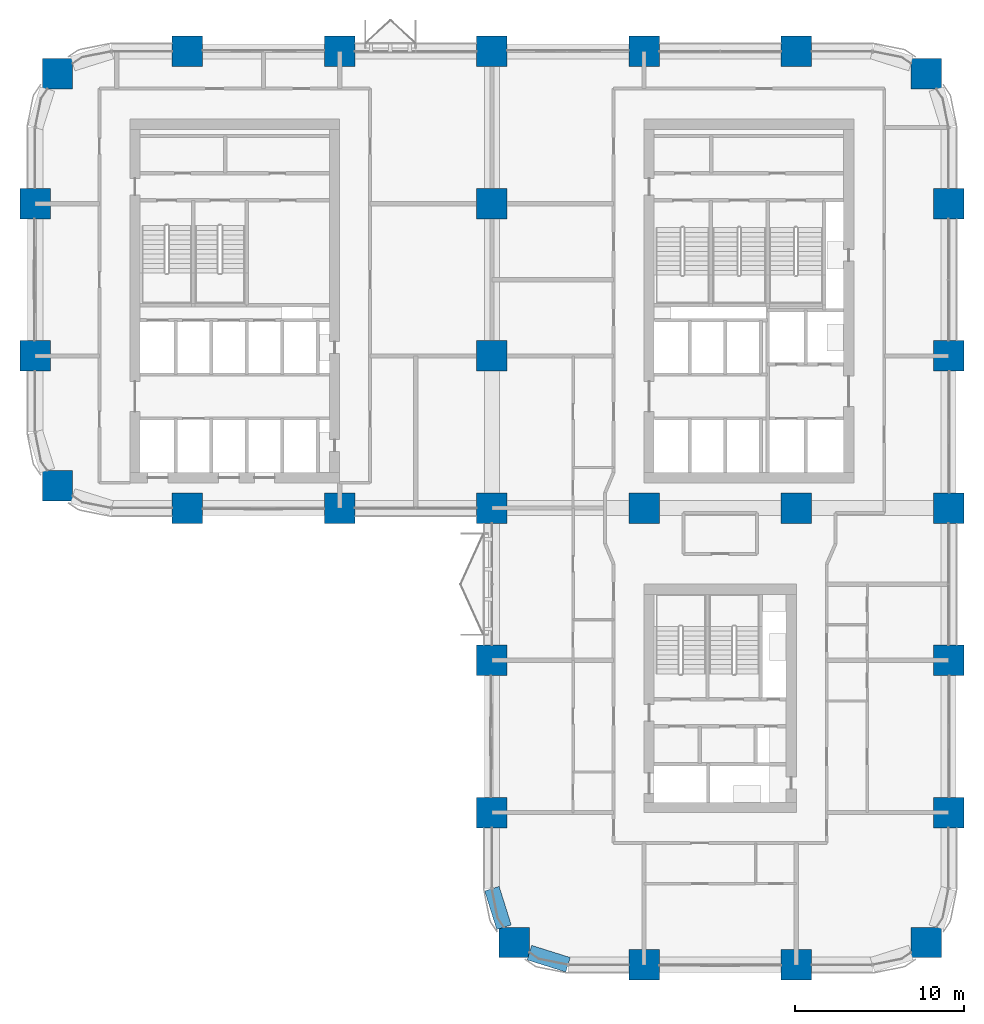
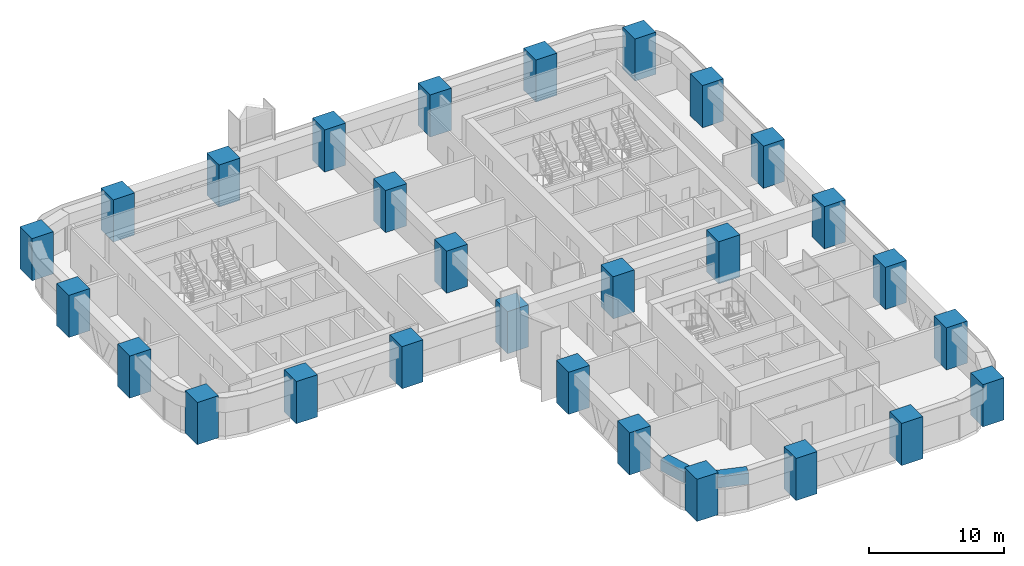
# One storey, part 1 of 18: 28 columns, 2 beams.
"""IFC4 building model written with IfcOpenShell, lengths in metres."""

from ifc_helpers import new_model, si_unit, direction, frame, origin, origin_2d, place, context, subcontext, project, spatial, rectangle, extrude, material, material_profile, profile_set, type_object, element, save


model = new_model("IFC4")

# Units and contexts
model_context = context("Model", 3, precision=1e-05, world=origin(), true_north=direction((0.0, 1.0)))
body_context = subcontext(model_context, "Body", "Model", "MODEL_VIEW")
ifc_project = project(units=[si_unit("LENGTHUNIT", "METRE"), si_unit("AREAUNIT", "SQUARE_METRE"), si_unit("VOLUMEUNIT", "CUBIC_METRE"), si_unit("PLANEANGLEUNIT", "RADIAN"), si_unit("MASSUNIT", "GRAM", prefix="KILO")], contexts=[model_context])

# Site, building, storey
site_placement = place(None, origin())
site = spatial("IfcSite", under=ifc_project, at=site_placement, CompositionType="ELEMENT")
building_placement = place(site_placement, origin())
building = spatial("IfcBuilding", under=site, at=building_placement, Name="Tessera Arch", CompositionType="ELEMENT")
storey_placement = place(building_placement, frame((0.0, 0.0, 100.60009765625)))
storey = spatial("IfcBuildingStorey", under=building, at=storey_placement, Name="L23", CompositionType="ELEMENT", Elevation=100.60009765625)

# Columns
ifc_material_1 = material(Name="Concrete C80/95", Category="concrete")
ifc_material_profile_1 = material_profile(ifc_material_1, rectangle(XDim=1.800048828125, YDim=1.800048828125, at=origin_2d()), Name="RC column 1800 x 1800 Concrete C80/95")
ifc_profile_set_1 = profile_set([ifc_material_profile_1], Name="Concrete C80/95")
column_type = type_object("IfcColumnType", Name="RC column 1800 x 1800 Concrete C80/95", PredefinedType="COLUMN", material=ifc_profile_set_1)
for number, where, z_axis, x_axis, name in (
    (1, (1.318115234375, 28.318115234375, 0.0), (0.0, 0.0, 1.0), (1.0, 0.0, 0.0), "Column C1D L23"),
    (2, (0.0, 36.0, 0.0), (0.0, 0.0, 1.0), (1.0, 0.0, 0.0), "Column C1E L23"),
    (3, (0.0, 45.0, 0.0), (0.0, 0.0, 1.0), (1.0, 0.0, 0.0), "Column C1F L23"),
    (4, (1.318115234375, 52.681884765625, 0.0), (0.0, 0.0, 1.0), (1.0, 0.0, 0.0), "Column C1G L23"),
    (5, (9.0, 27.0, 0.0), (0.0, 0.0, 1.0), (1.0, 0.0, 0.0), "Column C2D L23"),
    (6, (9.0, 54.0, 0.0), (0.0, 0.0, 1.0), (1.0, 0.0, 0.0), "Column C2G L23"),
    (7, (18.0, 27.0, 0.0), (0.0, 0.0, 1.0), (1.0, 0.0, 0.0), "Column C3D L23"),
    (8, (18.0, 54.0, 0.0), (0.0, 0.0, 1.0), (1.0, 0.0, 0.0), "Column C3G L23"),
    (9, (28.318115234375, 1.318115234375, 0.0), (0.0, 0.0, 1.0), (1.0, 0.0, 0.0), "Column C4A L23"),
    (10, (27.0, 9.0, 0.0), (0.0, 0.0, 1.0), (1.0, 0.0, 0.0), "Column C4B L23"),
    (11, (27.0, 18.0, 0.0), (0.0, 0.0, 1.0), (1.0, 0.0, 0.0), "Column C4C L23"),
    (12, (27.0, 27.0, 0.0), (0.0, 0.0, 1.0), (1.0, 0.0, 0.0), "Column C4D L23"),
    (13, (27.0, 36.0, 0.0), (0.0, 0.0, 1.0), (1.0, 0.0, 0.0), "Column C4E L23"),
    (14, (27.0, 45.0, 0.0), (0.0, 0.0, 1.0), (1.0, 0.0, 0.0), "Column C4F L23"),
    (15, (27.0, 54.0, 0.0), (0.0, 0.0, 1.0), (1.0, 0.0, 0.0), "Column C4G L23"),
    (16, (36.0, 0.0, 0.0), (0.0, 0.0, 1.0), (1.0, 0.0, 0.0), "Column C5A L23"),
    (17, (36.0, 27.0, 0.0), (0.0, 0.0, 1.0), (1.0, 0.0, 0.0), "Column C5D L23"),
    (18, (36.0, 54.0, 0.0), (0.0, 0.0, 1.0), (1.0, 0.0, 0.0), "Column C5G L23"),
    (19, (45.0, 0.0, 0.0), (0.0, 0.0, 1.0), (1.0, 0.0, 0.0), "Column C6A L23"),
    (20, (45.0, 27.0, 0.0), (0.0, 0.0, 1.0), (1.0, 0.0, 0.0), "Column C6D L23"),
    (21, (45.0, 54.0, 0.0), (0.0, 0.0, 1.0), (1.0, 0.0, 0.0), "Column C6G L23"),
    (22, (52.681884765625, 1.318115234375, 0.0), (0.0, 0.0, 1.0), (1.0, 0.0, 0.0), "Column C7A L23"),
    (23, (54.0, 9.0, 0.0), (0.0, 0.0, 1.0), (1.0, 0.0, 0.0), "Column C7B L23"),
    (24, (54.0, 18.0, 0.0), (0.0, 0.0, 1.0), (1.0, 0.0, 0.0), "Column C7C L23"),
    (25, (54.0, 27.0, 0.0), (0.0, 0.0, 1.0), (1.0, 0.0, 0.0), "Column C7D L23"),
    (26, (54.0, 36.0, 0.0), (0.0, 0.0, 1.0), (1.0, 0.0, 0.0), "Column C7E L23"),
    (27, (54.0, 45.0, 0.0), (0.0, 0.0, 1.0), (1.0, 0.0, 0.0), "Column C7F L23"),
    (28, (52.681884765625, 52.681884765625, 0.0), (0.0, 0.0, 1.0), (1.0, 0.0, 0.0), "Column C7G L23"),
):
    element("IfcColumn", number, at=place(storey_placement, frame(where, z_axis=z_axis, x_axis=x_axis)), inside=storey, type_object=column_type, Name=name, PredefinedType="COLUMN", context=body_context, shape_type="SweptSolid", body=[
        extrude(rectangle(XDim=1.800048828125, YDim=1.800048828125, at=origin_2d()), origin(), (0.0, 0.0, 1.0), 3.7998046875),
    ])

# Beams
ifc_material_2 = material(Name="Concrete C80/95", Category="concrete")
ifc_material_profile_2 = material_profile(ifc_material_2, rectangle(XDim=0.89990234375, YDim=1.0, at=origin_2d()), Name="RC spandrel beam 900 x 1000 Concrete C80/95")
ifc_profile_set_2 = profile_set([ifc_material_profile_2], Name="Concrete C80/95")
beam_type = type_object("IfcBeamType", Name="RC spandrel beam 900 x 1000 Concrete C80/95", PredefinedType="BEAM", material=ifc_profile_set_2)
for number, where, z_axis, x_axis, name in (
    (29, (27.0, 4.5, 3.0), (0.299675309057, -0.954041251279, 0.0), (0.954041251279, 0.299675309057, 0.0), "Spandrel beam L23 W27.0/2.2"),
    (30, (29.218017578125, 0.716796875, 3.0), (0.954041251279, -0.299675309057, 0.0), (0.299675309057, 0.954041251279, 0.0), "Spandrel beam L23 S0.27/0.1"),
):
    element("IfcBeam", number, at=place(storey_placement, frame(where, z_axis=z_axis, x_axis=x_axis)), inside=storey, type_object=beam_type, Name=name, PredefinedType="BEAM", context=body_context, shape_type="SweptSolid", body=[
        extrude(rectangle(XDim=0.89990234375, YDim=1.0, at=origin_2d()), origin(), (0.0, 0.0, 1.0), 2.391845703125),
    ])

save(model, "model.ifc")
